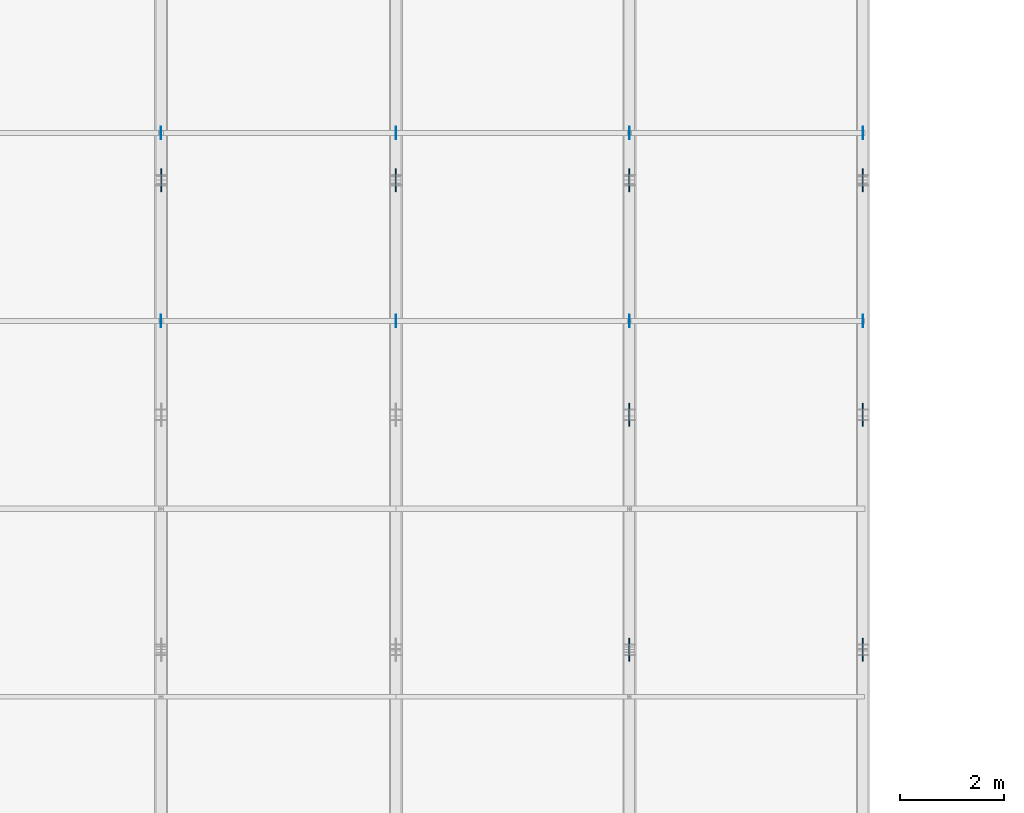
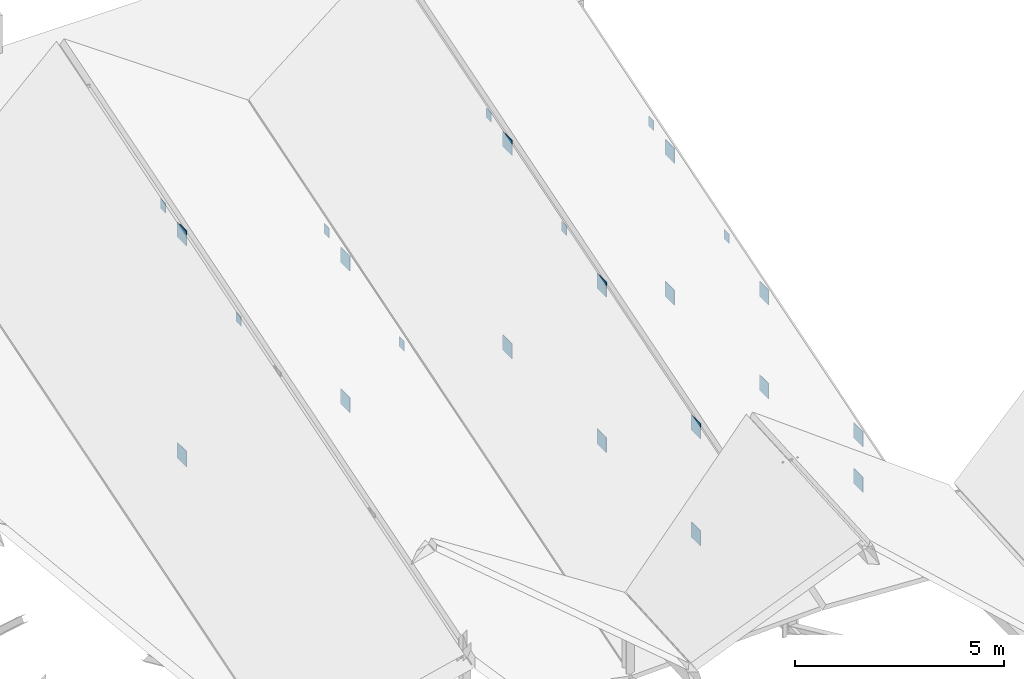
# One storey, part 123 of 142: 24 plates.
"""IFC4 building model written with IfcOpenShell, lengths in metres."""

from ifc_helpers import new_model, si_unit, direction, frame, origin, origin_2d, place, context, subcontext, project, spatial, rectangle, extrude, material, layer, layer_set, type_object, element, save


model = new_model("IFC4")

# Units and contexts
model_context = context("Model", 3, precision=1e-05, world=origin(), true_north=direction((0.0, 1.0)))
body_context = subcontext(model_context, "Body", "Model", "MODEL_VIEW")
ifc_project = project(units=[si_unit("LENGTHUNIT", "METRE"), si_unit("AREAUNIT", "SQUARE_METRE"), si_unit("VOLUMEUNIT", "CUBIC_METRE"), si_unit("PLANEANGLEUNIT", "RADIAN"), si_unit("MASSUNIT", "GRAM", prefix="KILO")], contexts=[model_context])

# Site, building, storey
site_placement = place(None, origin())
site = spatial("IfcSite", under=ifc_project, at=site_placement, CompositionType="ELEMENT")
building_placement = place(site_placement, origin())
building = spatial("IfcBuilding", under=site, at=building_placement, Name="Montelvaro Courts of Justice", CompositionType="ELEMENT")
storey_placement = place(building_placement, frame((0.0, 0.0, 14.39990234375)))
storey = spatial("IfcBuildingStorey", under=building, at=storey_placement, Name="L03", CompositionType="ELEMENT", Elevation=14.39990234375)

# Plates
ifc_material = material(Name="Steel S355", Category="steel")
ifc_layer_1 = layer(ifc_material, 0.011962890625)
ifc_layer_set_1 = layer_set([ifc_layer_1], Name="Steel S355")
plate_type_1 = type_object("IfcPlateType", Name="EndCapPlate_12", PredefinedType="USERDEFINED", material=ifc_layer_set_1)
for number, where, z_axis, x_axis, name in (
    (1, (67.5, 88.800048828125, 5.14990234375), (0.0, 0.0, 1.0), (1.0, 0.0, 0.0), "Purlin End Cap Plate CP-01 06-3L-B"),
    (2, (72.0, 88.800048828125, 2.85009765625), (0.0, 0.0, 1.0), (1.0, 0.0, 0.0), "Purlin End Cap Plate CP-01 06-3R-B"),
    (3, (67.5, 92.39990234375, 6.27001953125), (0.0, 0.0, 1.0), (1.0, 0.0, 0.0), "Purlin End Cap Plate CP-01 06-4L-B"),
    (4, (72.0, 92.39990234375, 3.97021484375), (0.0, 0.0, 1.0), (1.0, 0.0, 0.0), "Purlin End Cap Plate CP-01 06-4R-B"),
    (5, (76.47509765625, 88.800048828125, 4.64990234375), (0.0, 0.0, 1.0), (1.0, 0.0, 0.0), "Purlin End Cap Plate CP-01 07-3L-B"),
    (6, (80.949951171875, 88.800048828125, 2.85009765625), (0.0, 0.0, 1.0), (1.0, 0.0, 0.0), "Purlin End Cap Plate CP-01 07-3R-B"),
    (7, (76.47509765625, 92.39990234375, 5.77001953125), (0.0, 0.0, 1.0), (1.0, 0.0, 0.0), "Purlin End Cap Plate CP-01 07-4L-B"),
    (8, (80.949951171875, 92.39990234375, 3.97021484375), (0.0, 0.0, 1.0), (1.0, 0.0, 0.0), "Purlin End Cap Plate CP-01 07-4R-B"),
):
    element("IfcPlate", number, at=place(storey_placement, frame(where, z_axis=z_axis, x_axis=x_axis)), inside=storey, type_object=plate_type_1, Name=name, ObjectType="GUSSET PLATE", PredefinedType="USERDEFINED", context=body_context, shape_type="SweptSolid", body=[
        extrude(rectangle(XDim=0.011962890625, YDim=0.239990234375, at=origin_2d()), origin(), (0.0, 0.0, 1.0), 0.280029296875),
    ])
ifc_layer_2 = layer(ifc_material, 0.02001953125)
ifc_layer_set_2 = layer_set([ifc_layer_2], Name="Steel S355")
plate_type_2 = type_object("IfcPlateType", Name="GussetPlate_20", PredefinedType="USERDEFINED", material=ifc_layer_set_2)
for number, where, z_axis, x_axis, name in (
    (9, (72.0, 91.5, -0.519775390625), (0.0, 0.0, 1.0), (1.0, 0.0, 0.0), "Roof Truss Gusset Plate GP-01 ROOF-V1-VTR07-3B"),
    (10, (72.0, 91.5, 3.610107421875), (0.0, 0.0, 1.0), (1.0, 0.0, 0.0), "Roof Truss Gusset Plate GP-01 ROOF-V1-VTR07-3T"),
    (11, (80.949951171875, 82.5, -0.519775390625), (0.0, 0.0, 1.0), (1.0, 0.0, 0.0), "Roof Truss Gusset Plate GP-01 ROOF-V1-VTR08-1B"),
    (12, (80.949951171875, 82.5, 0.81005859375), (0.0, 0.0, 1.0), (1.0, 0.0, 0.0), "Roof Truss Gusset Plate GP-01 ROOF-V1-VTR08-1T"),
    (13, (80.949951171875, 87.0, -0.519775390625), (0.0, 0.0, 1.0), (1.0, 0.0, 0.0), "Roof Truss Gusset Plate GP-01 ROOF-V1-VTR08-2B"),
    (14, (80.949951171875, 87.0, 2.210205078125), (0.0, 0.0, 1.0), (1.0, 0.0, 0.0), "Roof Truss Gusset Plate GP-01 ROOF-V1-VTR08-2T"),
    (15, (80.949951171875, 91.5, -0.519775390625), (0.0, 0.0, 1.0), (1.0, 0.0, 0.0), "Roof Truss Gusset Plate GP-01 ROOF-V1-VTR08-3B"),
    (16, (80.949951171875, 91.5, 3.610107421875), (0.0, 0.0, 1.0), (1.0, 0.0, 0.0), "Roof Truss Gusset Plate GP-01 ROOF-V1-VTR08-3T"),
    (17, (67.5, 91.5, -0.519775390625), (0.0, 0.0, 1.0), (1.0, 0.0, 0.0), "Roof Truss Gusset Plate GP-01 ROOF-V1-RTR06-3B"),
    (18, (67.5, 91.5, 5.91015625), (0.0, 0.0, 1.0), (1.0, 0.0, 0.0), "Roof Truss Gusset Plate GP-01 ROOF-V1-RTR06-3T"),
    (19, (76.47509765625, 82.5, -0.519775390625), (0.0, 0.0, 1.0), (1.0, 0.0, 0.0), "Roof Truss Gusset Plate GP-01 ROOF-V1-RTR07-1B"),
    (20, (76.47509765625, 82.5, 2.610107421875), (0.0, 0.0, 1.0), (1.0, 0.0, 0.0), "Roof Truss Gusset Plate GP-01 ROOF-V1-RTR07-1T"),
    (21, (76.47509765625, 87.0, -0.519775390625), (0.0, 0.0, 1.0), (1.0, 0.0, 0.0), "Roof Truss Gusset Plate GP-01 ROOF-V1-RTR07-2B"),
    (22, (76.47509765625, 87.0, 4.010009765625), (0.0, 0.0, 1.0), (1.0, 0.0, 0.0), "Roof Truss Gusset Plate GP-01 ROOF-V1-RTR07-2T"),
    (23, (76.47509765625, 91.5, -0.519775390625), (0.0, 0.0, 1.0), (1.0, 0.0, 0.0), "Roof Truss Gusset Plate GP-01 ROOF-V1-RTR07-3B"),
    (24, (76.47509765625, 91.5, 5.41015625), (0.0, 0.0, 1.0), (1.0, 0.0, 0.0), "Roof Truss Gusset Plate GP-01 ROOF-V1-RTR07-3T"),
):
    element("IfcPlate", number, at=place(storey_placement, frame(where, z_axis=z_axis, x_axis=x_axis)), inside=storey, type_object=plate_type_2, Name=name, ObjectType="GUSSET PLATE", PredefinedType="USERDEFINED", context=body_context, shape_type="SweptSolid", body=[
        extrude(rectangle(XDim=0.02001953125, YDim=0.43994140625, at=origin_2d()), origin(), (0.0, 0.0, 1.0), 0.43994140625),
    ])

save(model, "model.ifc")
